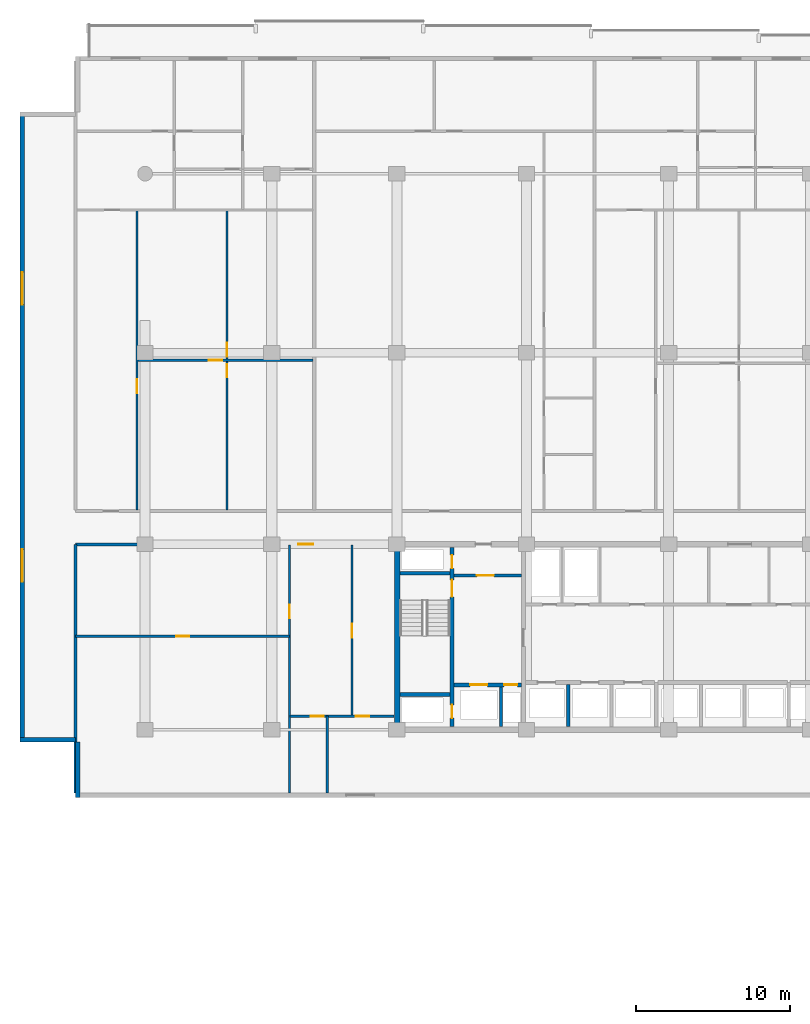
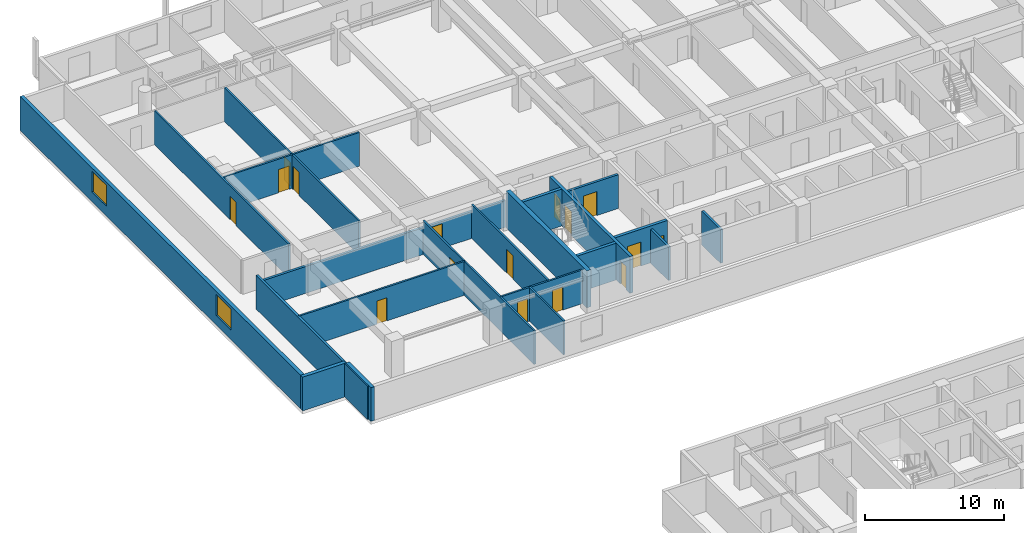
# One storey, part 9 of 23: 21 walls, 16 doors, 2 windows, 18 openings.
"""IFC4 building model written with IfcOpenShell, lengths in metres."""

from ifc_helpers import new_model, si_unit, direction, frame, frame_2d, origin, place, context, subcontext, project, spatial, rectangle, extrude, material, layer, layer_set, type_object, element, fill, save


model = new_model("IFC4")

# Units and contexts
model_context = context("Model", 3, precision=1e-05, world=origin(), true_north=direction((0.0, 1.0)))
body_context = subcontext(model_context, "Body", "Model", "MODEL_VIEW")
ifc_project = project(units=[si_unit("LENGTHUNIT", "METRE"), si_unit("AREAUNIT", "SQUARE_METRE"), si_unit("VOLUMEUNIT", "CUBIC_METRE"), si_unit("PLANEANGLEUNIT", "RADIAN"), si_unit("MASSUNIT", "GRAM", prefix="KILO")], contexts=[model_context])

# Site, building, storey
site_placement = place(None, origin())
site = spatial("IfcSite", under=ifc_project, at=site_placement, CompositionType="ELEMENT")
building_placement = place(site_placement, origin())
building = spatial("IfcBuilding", under=site, at=building_placement, Name="Korimba Cascade Residences", CompositionType="ELEMENT")
storey_placement = place(building_placement, frame((0.0, 0.0, 46.75)))
storey = spatial("IfcBuildingStorey", under=building, at=storey_placement, Name="L12", CompositionType="ELEMENT", Elevation=46.75)

# Wall, openings, windows
ifc_material_1 = material(Name="Precast concrete C40/50", Category="concrete")
ifc_layer_1 = layer(ifc_material_1, 0.300048828125)
ifc_layer_set_1 = layer_set([ifc_layer_1], Name="Precast concrete C40/50")
wall_type_1 = type_object("IfcWallType", Name="EW-STONE-300", PredefinedType="STANDARD", material=ifc_layer_set_1)
wall_1_placement = place(storey_placement, frame((51.85009765625, 95.199951171875, 0.0), z_axis=(0.0, 0.0, 1.0), x_axis=(0.0, -1.0, 0.0)))
wall_1 = element("IfcWall", 1, at=wall_1_placement, inside=storey, type_object=wall_type_1, Name="L12 T1 Perimeter Stone Wall E09", PredefinedType="STANDARD", context=body_context, shape_type="SweptSolid", body=[
    extrude(rectangle(XDim=40.800048828125, YDim=0.300048828125, at=frame_2d((20.39990234375, 0.0))), origin(), (0.0, 0.0, 1.0), 2.969970703125),
])
opening_1_placement = place(wall_1_placement, frame((10.3740234375, 0.0, 0.85009765625)))
opening_1 = element("IfcOpeningElement", 2, at=opening_1_placement, cuts=wall_1, Name="Opening W-03", PredefinedType="OPENING", context=body_context, shape_type="SweptSolid", body=[
    extrude(rectangle(XDim=2.10009765625, YDim=1.85009765625, at=frame_2d((1.050048828125, 0.925048828125))), frame((0.0, 0.16015625, 0.0), z_axis=(0.0, -1.0, 0.0), x_axis=(1.0, 0.0, 0.0)), (0.0, 0.0, 1.0), 0.320068359375),
])
opening_2_placement = place(wall_1_placement, frame((28.325927734375, 0.0, 0.85009765625)))
opening_2 = element("IfcOpeningElement", 3, at=opening_2_placement, cuts=wall_1, Name="Opening W-03", PredefinedType="OPENING", context=body_context, shape_type="SweptSolid", body=[
    extrude(rectangle(XDim=2.10009765625, YDim=1.85009765625, at=frame_2d((1.050048828125, 0.925048828125))), frame((0.0, 0.16015625, 0.0), z_axis=(0.0, -1.0, 0.0), x_axis=(1.0, 0.0, 0.0)), (0.0, 0.0, 1.0), 0.320068359375),
])
ifc_material_2 = material(Name="Double-Glazed Aluminium Window", Category="aluminium")
window_type = type_object("IfcWindowType", Name="WIN-CRN-2100", PartitioningType="DOUBLE_PANEL_HORIZONTAL", PredefinedType="WINDOW", material=ifc_material_2)
window_1_placement = place(opening_1_placement, origin())
window_1 = element("IfcWindow", 4, at=window_1_placement, inside=storey, type_object=window_type, Name="L12 T1 End View Window 9.1", OverallHeight=1.85009765625, OverallWidth=2.10009765625, PartitioningType="DOUBLE_PANEL_HORIZONTAL", PredefinedType="WINDOW", context=body_context, shape_type="SweptSolid", body=[
    extrude(rectangle(XDim=2.10009765625, YDim=1.85009765625, at=frame_2d((1.050048828125, 0.925048828125))), frame((0.0, 0.030029296875, 0.0), z_axis=(0.0, -1.0, 0.0), x_axis=(1.0, 0.0, 0.0)), (0.0, 0.0, 1.0), 0.06005859375),
])
fill(opening_1, window_1)
window_2_placement = place(opening_2_placement, origin())
window_2 = element("IfcWindow", 5, at=window_2_placement, inside=storey, type_object=window_type, Name="L12 T1 End View Window 9.2", OverallHeight=1.85009765625, OverallWidth=2.10009765625, PartitioningType="DOUBLE_PANEL_HORIZONTAL", PredefinedType="WINDOW", context=body_context, shape_type="SweptSolid", body=[
    extrude(rectangle(XDim=2.10009765625, YDim=1.85009765625, at=frame_2d((1.050048828125, 0.925048828125))), frame((0.0, 0.030029296875, 0.0), z_axis=(0.0, -1.0, 0.0), x_axis=(1.0, 0.0, 0.0)), (0.0, 0.0, 1.0), 0.06005859375),
])
fill(opening_2, window_2)

# Walls
wall_2_placement = place(storey_placement, frame((51.699951171875, 54.550048828125, 0.0), z_axis=(0.0, 0.0, 1.0), x_axis=(1.0, 0.0, 0.0)))
element("IfcWall", 6, at=wall_2_placement, inside=storey, type_object=wall_type_1, Name="L12 T1 Perimeter Stone Wall E10", PredefinedType="STANDARD", context=body_context, shape_type="SweptSolid", body=[
    extrude(rectangle(XDim=3.60009765625, YDim=0.300048828125, at=frame_2d((1.800048828125, 0.0))), origin(), (0.0, 0.0, 1.0), 2.969970703125),
])
wall_3_placement = place(storey_placement, frame((55.449951171875, 54.39990234375, 0.0), z_axis=(0.0, 0.0, 1.0), x_axis=(0.0, -1.0, 0.0)))
element("IfcWall", 7, at=wall_3_placement, inside=storey, type_object=wall_type_1, Name="L12 T1 Perimeter Stone Wall E11", PredefinedType="STANDARD", context=body_context, shape_type="SweptSolid", body=[
    extrude(rectangle(XDim=3.599853515625, YDim=0.300048828125, at=frame_2d((1.7998046875, 0.0))), origin(), (0.0, 0.0, 1.0), 2.969970703125),
])
ifc_material_3 = material(Name="Concrete C65/80", Category="concrete")
ifc_layer_2 = layer(ifc_material_3, 0.35009765625)
ifc_layer_set_2 = layer_set([ifc_layer_2], Name="Concrete C65/80")
wall_type_2 = type_object("IfcWallType", Name="WAL-CORE-350", PredefinedType="SHEAR", material=ifc_layer_set_2)
wall_4_placement = place(storey_placement, frame((76.125, 55.375, 0.0), z_axis=(0.0, 0.0, 1.0), x_axis=(0.0, 1.0, 0.0)))
element("IfcWall", 8, at=wall_4_placement, inside=storey, type_object=wall_type_2, Name="L12 Core Shear Wall CW-L12-T1-W", PredefinedType="SHEAR", context=body_context, shape_type="SweptSolid", body=[
    extrude(rectangle(XDim=11.64990234375, YDim=0.35009765625, at=frame_2d((5.824951171875, 0.0))), origin(), (0.0, 0.0, 1.0), 3.25),
])
ifc_layer_3 = layer(ifc_material_1, 0.199951171875)
ifc_layer_set_3 = layer_set([ifc_layer_3], Name="Precast concrete C40/50")
wall_type_3 = type_object("IfcWallType", Name="WAL-IT-200", PredefinedType="PARTITIONING", material=ifc_layer_set_3)
wall_5_placement = place(storey_placement, frame((55.300048828125, 51.10009765625, 0.0), z_axis=(0.0, 0.0, 1.0), x_axis=(0.0, 1.0, 0.0)))
element("IfcWall", 9, at=wall_5_placement, inside=storey, type_object=wall_type_3, Name="L12 Partition Wall WAL-L12-T1-FW-WL", PredefinedType="PARTITIONING", context=body_context, shape_type="SweptSolid", body=[
    extrude(rectangle(XDim=16.099853515625, YDim=0.199951171875, at=frame_2d((8.0498046875, 0.0))), origin(), (0.0, 0.0, 1.0), 2.969970703125),
])

# Wall, opening, door
wall_6_placement = place(storey_placement, frame((55.300048828125, 67.199951171875, 0.0), z_axis=(0.0, 0.0, 1.0), x_axis=(1.0, 0.0, 0.0)))
wall_6 = element("IfcWall", 10, at=wall_6_placement, inside=storey, type_object=wall_type_3, Name="L12 Partition Wall WAL-L12-T1-FW-N", PredefinedType="PARTITIONING", context=body_context, shape_type="SweptSolid", body=[
    extrude(rectangle(XDim=20.64990234375, YDim=0.199951171875, at=frame_2d((10.324951171875, 0.0))), origin(), (0.0, 0.0, 1.0), 2.3701171875),
])
opening_3_placement = place(wall_6_placement, frame((14.426025390625, 0.0, 0.0)))
opening_3 = element("IfcOpeningElement", 11, at=opening_3_placement, cuts=wall_6, Name="Opening D-UN1", PredefinedType="OPENING", context=body_context, shape_type="SweptSolid", body=[
    extrude(rectangle(XDim=0.949951171875, YDim=2.14990234375, at=frame_2d((0.47509765625, 1.074951171875))), frame((0.0, 0.10986328125, 0.0), z_axis=(0.0, -1.0, 0.0), x_axis=(1.0, 0.0, 0.0)), (0.0, 0.0, 1.0), 0.219970703125),
])
ifc_material_4 = material(Name="Fire-Rated Hardwood Apartment Entrance Door", Category="wood")
door_type_1 = type_object("IfcDoorType", Name="DR-FD60-950", OperationType="NOTDEFINED", PredefinedType="DOOR", material=ifc_material_4)
door_1_placement = place(opening_3_placement, origin())
door_1 = element("IfcDoor", 12, at=door_1_placement, inside=storey, type_object=door_type_1, Name="L12-T1-FW Entrance Door", OperationType="SINGLE_SWING_LEFT", OverallHeight=2.14990234375, OverallWidth=0.949951171875, PredefinedType="DOOR", context=body_context, shape_type="SweptSolid", body=[
    extrude(rectangle(XDim=0.949951171875, YDim=2.14990234375, at=frame_2d((0.47509765625, 1.074951171875))), frame((0.0, 0.02490234375, 0.0), z_axis=(0.0, -1.0, 0.0), x_axis=(1.0, 0.0, 0.0)), (0.0, 0.0, 1.0), 0.050048828125),
])
fill(opening_3, door_1)

ifc_material_5 = material(Name="Insulated Acoustic Stud Partition", Category="gypsum")
ifc_layer_4 = layer(ifc_material_5, 0.14990234375)
ifc_layer_set_4 = layer_set([ifc_layer_4], Name="Insulated Acoustic Stud Partition")
wall_type_4 = type_object("IfcWallType", Name="WAL-PART-150", PredefinedType="PARTITIONING", material=ifc_layer_set_4)
wall_7_placement = place(storey_placement, frame((55.300048828125, 61.25, 0.0), z_axis=(0.0, 0.0, 1.0), x_axis=(1.0, 0.0, 0.0)))
wall_7 = element("IfcWall", 13, at=wall_7_placement, inside=storey, type_object=wall_type_4, Name="L12 Partition Wall WAL-L12-T1-FW-STH", PredefinedType="PARTITIONING", context=body_context, shape_type="SweptSolid", body=[
    extrude(rectangle(XDim=13.849853515625, YDim=0.14990234375, at=frame_2d((6.9248046875, 0.0))), origin(), (0.0, 0.0, 1.0), 2.969970703125),
])
opening_4_placement = place(wall_7_placement, frame((6.5048828125, 0.0, 0.0)))
opening_4 = element("IfcOpeningElement", 14, at=opening_4_placement, cuts=wall_7, Name="Opening D-BT1", PredefinedType="OPENING", context=body_context, shape_type="SweptSolid", body=[
    extrude(rectangle(XDim=0.840087890625, YDim=2.0400390625, at=frame_2d((0.419921875, 1.02001953125))), frame((0.0, 0.0849609375, 0.0), z_axis=(0.0, -1.0, 0.0), x_axis=(1.0, 0.0, 0.0)), (0.0, 0.0, 1.0), 0.169921875),
])
ifc_material_6 = material(Name="Moisture-Resistant Bathroom Timber Door", Category="wood")
door_type_2 = type_object("IfcDoorType", Name="DR-INT-850", OperationType="NOTDEFINED", PredefinedType="DOOR", material=ifc_material_6)
door_2_placement = place(opening_4_placement, origin())
door_2 = element("IfcDoor", 15, at=door_2_placement, inside=storey, type_object=door_type_2, Name="L12-T1-FW Dressing Store Door", OperationType="SINGLE_SWING_RIGHT", OverallHeight=2.0400390625, OverallWidth=0.840087890625, PredefinedType="DOOR", context=body_context, shape_type="SweptSolid", body=[
    extrude(rectangle(XDim=0.840087890625, YDim=2.0400390625, at=frame_2d((0.419921875, 1.02001953125))), frame((0.0, 0.02490234375, 0.0), z_axis=(0.0, -1.0, 0.0), x_axis=(1.0, 0.0, 0.0)), (0.0, 0.0, 1.0), 0.050048828125),
])
fill(opening_4, door_2)

wall_8_placement = place(storey_placement, frame((69.14990234375, 51.10009765625, 0.0), z_axis=(0.0, 0.0, 1.0), x_axis=(0.0, 1.0, 0.0)))
wall_8 = element("IfcWall", 16, at=wall_8_placement, inside=storey, type_object=wall_type_4, Name="L12 Partition Wall WAL-L12-T1-FW-STV", PredefinedType="PARTITIONING", context=body_context, shape_type="SweptSolid", body=[
    extrude(rectangle(XDim=16.0498046875, YDim=0.14990234375, at=frame_2d((8.02490234375, 0.0))), origin(), (0.0, 0.0, 1.0), 2.969970703125),
])
opening_5_placement = place(wall_8_placement, frame((11.300048828125, 0.0, 0.0)))
opening_5 = element("IfcOpeningElement", 17, at=opening_5_placement, cuts=wall_8, Name="Opening D-IN2", PredefinedType="OPENING", context=body_context, shape_type="SweptSolid", body=[
    extrude(rectangle(XDim=0.8798828125, YDim=2.06005859375, at=frame_2d((0.43994140625, 1.030029296875))), frame((0.0, 0.0849609375, 0.0), z_axis=(0.0, -1.0, 0.0), x_axis=(1.0, 0.0, 0.0)), (0.0, 0.0, 1.0), 0.169921875),
])
ifc_material_7 = material(Name="Acoustic Timber Bedroom Door", Category="wood")
door_type_3 = type_object("IfcDoorType", Name="DR-INT-880", OperationType="NOTDEFINED", PredefinedType="DOOR", material=ifc_material_7)
door_3_placement = place(opening_5_placement, origin())
door_3 = element("IfcDoor", 18, at=door_3_placement, inside=storey, type_object=door_type_3, Name="L12-T1-FW Study Door", OperationType="SINGLE_SWING_LEFT", OverallHeight=2.06005859375, OverallWidth=0.8798828125, PredefinedType="DOOR", context=body_context, shape_type="SweptSolid", body=[
    extrude(rectangle(XDim=0.8798828125, YDim=2.06005859375, at=frame_2d((0.43994140625, 1.030029296875))), frame((0.0, 0.02490234375, 0.0), z_axis=(0.0, -1.0, 0.0), x_axis=(1.0, 0.0, 0.0)), (0.0, 0.0, 1.0), 0.050048828125),
])
fill(opening_5, door_3)

wall_9_placement = place(storey_placement, frame((73.199951171875, 56.070068359375, 0.0), z_axis=(0.0, 0.0, 1.0), x_axis=(0.0, 1.0, 0.0)))
wall_9 = element("IfcWall", 19, at=wall_9_placement, inside=storey, type_object=wall_type_4, Name="L12 Partition Wall WAL-L12-T1-FW-VN", PredefinedType="PARTITIONING", context=body_context, shape_type="SweptSolid", body=[
    extrude(rectangle(XDim=11.079833984375, YDim=0.14990234375, at=frame_2d((5.5400390625, 0.0))), origin(), (0.0, 0.0, 1.0), 2.969970703125),
])
opening_6_placement = place(wall_9_placement, frame((5.080078125, 0.0, 0.0)))
opening_6 = element("IfcOpeningElement", 20, at=opening_6_placement, cuts=wall_9, Name="Opening D-IN1", PredefinedType="OPENING", context=body_context, shape_type="SweptSolid", body=[
    extrude(rectangle(XDim=0.919921875, YDim=2.080078125, at=frame_2d((0.4599609375, 1.0400390625))), frame((0.0, 0.0849609375, 0.0), z_axis=(0.0, -1.0, 0.0), x_axis=(1.0, 0.0, 0.0)), (0.0, 0.0, 1.0), 0.169921875),
])
ifc_material_8 = material(Name="Acoustic Timber Living Door", Category="wood")
door_type_4 = type_object("IfcDoorType", Name="DR-INT-920", OperationType="NOTDEFINED", PredefinedType="DOOR", material=ifc_material_8)
door_4_placement = place(opening_6_placement, origin())
door_4 = element("IfcDoor", 21, at=door_4_placement, inside=storey, type_object=door_type_4, Name="L12-T1-FW Living Door", OperationType="SINGLE_SWING_RIGHT", OverallHeight=2.080078125, OverallWidth=0.919921875, PredefinedType="DOOR", context=body_context, shape_type="SweptSolid", body=[
    extrude(rectangle(XDim=0.919921875, YDim=2.080078125, at=frame_2d((0.4599609375, 1.0400390625))), frame((0.0, 0.02490234375, 0.0), z_axis=(0.0, -1.0, 0.0), x_axis=(1.0, 0.0, 0.0)), (0.0, 0.0, 1.0), 0.050048828125),
])
fill(opening_6, door_4)

# Wall
wall_10_placement = place(storey_placement, frame((71.60009765625, 51.10009765625, 0.0), z_axis=(0.0, 0.0, 1.0), x_axis=(0.0, 1.0, 0.0)))
element("IfcWall", 22, at=wall_10_placement, inside=storey, type_object=wall_type_4, Name="L12 Partition Wall WAL-L12-T1-FW-VS", PredefinedType="PARTITIONING", context=body_context, shape_type="SweptSolid", body=[
    extrude(rectangle(XDim=4.969970703125, YDim=0.14990234375, at=frame_2d((2.48486328125, 0.0))), origin(), (0.0, 0.0, 1.0), 2.969970703125),
])

# Wall, openings, doors
wall_11_placement = place(storey_placement, frame((69.169921875, 56.070068359375, 0.0), z_axis=(0.0, 0.0, 1.0), x_axis=(1.0, 0.0, 0.0)))
wall_11 = element("IfcWall", 23, at=wall_11_placement, inside=storey, type_object=wall_type_4, Name="L12 Partition Wall WAL-L12-T1-FW-H", PredefinedType="PARTITIONING", context=body_context, shape_type="SweptSolid", body=[
    extrude(rectangle(XDim=6.760009765625, YDim=0.14990234375, at=frame_2d((3.3798828125, 0.0))), origin(), (0.0, 0.0, 1.0), 2.969970703125),
])
opening_7_placement = place(wall_11_placement, frame((1.3623046875, 0.0, 0.0)))
opening_7 = element("IfcOpeningElement", 24, at=opening_7_placement, cuts=wall_11, Name="Opening D-BT1", PredefinedType="OPENING", context=body_context, shape_type="SweptSolid", body=[
    extrude(rectangle(XDim=0.840087890625, YDim=2.0400390625, at=frame_2d((0.419921875, 1.02001953125))), frame((0.0, 0.0849609375, 0.0), z_axis=(0.0, -1.0, 0.0), x_axis=(1.0, 0.0, 0.0)), (0.0, 0.0, 1.0), 0.169921875),
])
opening_8_placement = place(wall_11_placement, frame((4.276611328125, 0.0, 0.0)))
opening_8 = element("IfcOpeningElement", 25, at=opening_8_placement, cuts=wall_11, Name="Opening D-IN2", PredefinedType="OPENING", context=body_context, shape_type="SweptSolid", body=[
    extrude(rectangle(XDim=0.8798828125, YDim=2.06005859375, at=frame_2d((0.43994140625, 1.030029296875))), frame((0.0, 0.0849609375, 0.0), z_axis=(0.0, -1.0, 0.0), x_axis=(1.0, 0.0, 0.0)), (0.0, 0.0, 1.0), 0.169921875),
])
door_5_placement = place(opening_7_placement, origin())
door_5 = element("IfcDoor", 26, at=door_5_placement, inside=storey, type_object=door_type_2, Name="L12-T1-FW Bathroom Door", OperationType="SINGLE_SWING_LEFT", OverallHeight=2.0400390625, OverallWidth=0.840087890625, PredefinedType="DOOR", context=body_context, shape_type="SweptSolid", body=[
    extrude(rectangle(XDim=0.840087890625, YDim=2.0400390625, at=frame_2d((0.419921875, 1.02001953125))), frame((0.0, 0.02490234375, 0.0), z_axis=(0.0, -1.0, 0.0), x_axis=(1.0, 0.0, 0.0)), (0.0, 0.0, 1.0), 0.050048828125),
])
fill(opening_7, door_5)
door_6_placement = place(opening_8_placement, origin())
door_6 = element("IfcDoor", 27, at=door_6_placement, inside=storey, type_object=door_type_3, Name="L12-T1-FW Bedroom Door", OperationType="SINGLE_SWING_RIGHT", OverallHeight=2.06005859375, OverallWidth=0.8798828125, PredefinedType="DOOR", context=body_context, shape_type="SweptSolid", body=[
    extrude(rectangle(XDim=0.8798828125, YDim=2.06005859375, at=frame_2d((0.43994140625, 1.030029296875))), frame((0.0, 0.02490234375, 0.0), z_axis=(0.0, -1.0, 0.0), x_axis=(1.0, 0.0, 0.0)), (0.0, 0.0, 1.0), 0.050048828125),
])
fill(opening_8, door_6)

wall_12_placement = place(storey_placement, frame((65.1025390625, 69.409912109375, 0.0), z_axis=(0.0, 0.0, 1.0), x_axis=(0.0, 1.0, 0.0)))
wall_12 = element("IfcWall", 28, at=wall_12_placement, inside=storey, type_object=wall_type_4, Name="L12 Partition Wall WAL-L12-T1-U01-FMV", PredefinedType="PARTITIONING", context=body_context, shape_type="SweptSolid", body=[
    extrude(rectangle(XDim=19.400146484375, YDim=0.14990234375, at=frame_2d((9.7001953125, 0.0))), origin(), (0.0, 0.0, 1.0), 2.969970703125),
])
opening_9_placement = place(wall_12_placement, frame((8.610107421875, 0.0, 0.0)))
opening_9 = element("IfcOpeningElement", 29, at=opening_9_placement, cuts=wall_12, Name="Opening D-BT1", PredefinedType="OPENING", context=body_context, shape_type="SweptSolid", body=[
    extrude(rectangle(XDim=0.840087890625, YDim=2.0400390625, at=frame_2d((0.419921875, 1.02001953125))), frame((0.0, 0.0849609375, 0.0), z_axis=(0.0, -1.0, 0.0), x_axis=(1.0, 0.0, 0.0)), (0.0, 0.0, 1.0), 0.169921875),
])
opening_10_placement = place(wall_12_placement, frame((9.949951171875, 0.0, 0.0)))
opening_10 = element("IfcOpeningElement", 30, at=opening_10_placement, cuts=wall_12, Name="Opening D-IN2", PredefinedType="OPENING", context=body_context, shape_type="SweptSolid", body=[
    extrude(rectangle(XDim=0.8798828125, YDim=2.06005859375, at=frame_2d((0.43994140625, 1.030029296875))), frame((0.0, 0.0849609375, 0.0), z_axis=(0.0, -1.0, 0.0), x_axis=(1.0, 0.0, 0.0)), (0.0, 0.0, 1.0), 0.169921875),
])
door_7_placement = place(opening_9_placement, origin())
door_7 = element("IfcDoor", 31, at=door_7_placement, inside=storey, type_object=door_type_2, Name="L12-T1-U01 Wardrobe Door", OperationType="SINGLE_SWING_RIGHT", OverallHeight=2.0400390625, OverallWidth=0.840087890625, PredefinedType="DOOR", context=body_context, shape_type="SweptSolid", body=[
    extrude(rectangle(XDim=0.840087890625, YDim=2.0400390625, at=frame_2d((0.419921875, 1.02001953125))), frame((0.0, 0.02490234375, 0.0), z_axis=(0.0, -1.0, 0.0), x_axis=(1.0, 0.0, 0.0)), (0.0, 0.0, 1.0), 0.050048828125),
])
fill(opening_9, door_7)
door_8_placement = place(opening_10_placement, origin())
door_8 = element("IfcDoor", 32, at=door_8_placement, inside=storey, type_object=door_type_3, Name="L12-T1-U01 Music Lounge Door", OperationType="SINGLE_SWING_LEFT", OverallHeight=2.06005859375, OverallWidth=0.8798828125, PredefinedType="DOOR", context=body_context, shape_type="SweptSolid", body=[
    extrude(rectangle(XDim=0.8798828125, YDim=2.06005859375, at=frame_2d((0.43994140625, 1.030029296875))), frame((0.0, 0.02490234375, 0.0), z_axis=(0.0, -1.0, 0.0), x_axis=(1.0, 0.0, 0.0)), (0.0, 0.0, 1.0), 0.050048828125),
])
fill(opening_10, door_8)

# Wall, opening, door
wall_13_placement = place(storey_placement, frame((59.330078125, 79.110107421875, 0.0), z_axis=(0.0, 0.0, 1.0), x_axis=(1.0, 0.0, 0.0)))
wall_13 = element("IfcWall", 33, at=wall_13_placement, inside=storey, type_object=wall_type_4, Name="L12 Partition Wall WAL-L12-T1-U01-FMH", PredefinedType="PARTITIONING", context=body_context, shape_type="SweptSolid", body=[
    extrude(rectangle(XDim=11.34521484375, YDim=0.14990234375, at=frame_2d((5.672607421875, 0.0))), origin(), (0.0, 0.0, 1.0), 2.969970703125),
])
opening_11_placement = place(wall_13_placement, frame((4.586181640625, 0.0, 0.0)))
opening_11 = element("IfcOpeningElement", 34, at=opening_11_placement, cuts=wall_13, Name="Opening D-IN2", PredefinedType="OPENING", context=body_context, shape_type="SweptSolid", body=[
    extrude(rectangle(XDim=0.8798828125, YDim=2.06005859375, at=frame_2d((0.43994140625, 1.030029296875))), frame((0.0, 0.0849609375, 0.0), z_axis=(0.0, -1.0, 0.0), x_axis=(1.0, 0.0, 0.0)), (0.0, 0.0, 1.0), 0.169921875),
])
door_9_placement = place(opening_11_placement, origin())
door_9 = element("IfcDoor", 35, at=door_9_placement, inside=storey, type_object=door_type_3, Name="L12-T1-U01 Library Salon Door", OperationType="SINGLE_SWING_RIGHT", OverallHeight=2.06005859375, OverallWidth=0.8798828125, PredefinedType="DOOR", context=body_context, shape_type="SweptSolid", body=[
    extrude(rectangle(XDim=0.8798828125, YDim=2.06005859375, at=frame_2d((0.43994140625, 1.030029296875))), frame((0.0, 0.02490234375, 0.0), z_axis=(0.0, -1.0, 0.0), x_axis=(1.0, 0.0, 0.0)), (0.0, 0.0, 1.0), 0.050048828125),
])
fill(opening_11, door_9)

wall_14_placement = place(storey_placement, frame((59.27001953125, 69.409912109375, 0.0), z_axis=(0.0, 0.0, 1.0), x_axis=(0.0, 1.0, 0.0)))
wall_14 = element("IfcWall", 36, at=wall_14_placement, inside=storey, type_object=wall_type_4, Name="L12 Partition Wall WAL-L12-T1-U01-FV", PredefinedType="PARTITIONING", context=body_context, shape_type="SweptSolid", body=[
    extrude(rectangle(XDim=19.400146484375, YDim=0.14990234375, at=frame_2d((9.7001953125, 0.0))), origin(), (0.0, 0.0, 1.0), 2.969970703125),
])
opening_12_placement = place(wall_14_placement, frame((7.58349609375, 0.0, 0.0)))
opening_12 = element("IfcOpeningElement", 37, at=opening_12_placement, cuts=wall_14, Name="Opening D-IN2", PredefinedType="OPENING", context=body_context, shape_type="SweptSolid", body=[
    extrude(rectangle(XDim=0.8798828125, YDim=2.06005859375, at=frame_2d((0.43994140625, 1.030029296875))), frame((0.0, 0.0849609375, 0.0), z_axis=(0.0, -1.0, 0.0), x_axis=(1.0, 0.0, 0.0)), (0.0, 0.0, 1.0), 0.169921875),
])
door_10_placement = place(opening_12_placement, origin())
door_10 = element("IfcDoor", 38, at=door_10_placement, inside=storey, type_object=door_type_3, Name="L12-T1-U01 Media Lounge Door", OperationType="SINGLE_SWING_LEFT", OverallHeight=2.06005859375, OverallWidth=0.8798828125, PredefinedType="DOOR", context=body_context, shape_type="SweptSolid", body=[
    extrude(rectangle(XDim=0.8798828125, YDim=2.06005859375, at=frame_2d((0.43994140625, 1.030029296875))), frame((0.0, 0.02490234375, 0.0), z_axis=(0.0, -1.0, 0.0), x_axis=(1.0, 0.0, 0.0)), (0.0, 0.0, 1.0), 0.050048828125),
])
fill(opening_12, door_10)

# Wall
ifc_material_9 = material(Name="Concrete C40/50", Category="concrete")
ifc_layer_5 = layer(ifc_material_9, 0.199951171875)
ifc_layer_set_5 = layer_set([ifc_layer_5], Name="Concrete C40/50")
wall_type_5 = type_object("IfcWallType", Name="WAL-PART-200", PredefinedType="PARTITIONING", material=ifc_layer_set_5)
wall_15_placement = place(storey_placement, frame((82.85009765625, 55.39990234375, 0.0), z_axis=(0.0, 0.0, 1.0), x_axis=(0.0, 1.0, 0.0)))
element("IfcWall", 39, at=wall_15_placement, inside=storey, type_object=wall_type_5, Name="L12 Partition Wall CW-L12-T1-FFLDIV", PredefinedType="PARTITIONING", context=body_context, shape_type="SweptSolid", body=[
    extrude(rectangle(XDim=2.56005859375, YDim=0.199951171875, at=frame_2d((1.280029296875, 0.0))), origin(), (0.0, 0.0, 1.0), 2.969970703125),
])

# Wall, opening, door
wall_16_placement = place(storey_placement, frame((79.7900390625, 65.179931640625, 0.0), z_axis=(0.0, 0.0, 1.0), x_axis=(1.0, 0.0, 0.0)))
wall_16 = element("IfcWall", 40, at=wall_16_placement, inside=storey, type_object=wall_type_5, Name="L12 Partition Wall CW-L12-T1-FFLN", PredefinedType="PARTITIONING", context=body_context, shape_type="SweptSolid", body=[
    extrude(rectangle(XDim=4.389892578125, YDim=0.199951171875, at=frame_2d((2.19482421875, 0.0))), origin(), (0.0, 0.0, 1.0), 2.969970703125),
])
opening_13_placement = place(wall_16_placement, frame((1.5, 0.0, 0.0)))
opening_13 = element("IfcOpeningElement", 41, at=opening_13_placement, cuts=wall_16, Name="Opening D-FD1", PredefinedType="OPENING", context=body_context, shape_type="SweptSolid", body=[
    extrude(rectangle(XDim=1.10009765625, YDim=2.10009765625, at=frame_2d((0.550048828125, 1.050048828125))), frame((0.0, 0.10986328125, 0.0), z_axis=(0.0, -1.0, 0.0), x_axis=(1.0, 0.0, 0.0)), (0.0, 0.0, 1.0), 0.219970703125),
])
ifc_material_10 = material(Name="Fire-Rated Steel Core Door", Category="steel")
door_type_5 = type_object("IfcDoorType", Name="DR-FD120-1100", OperationType="NOTDEFINED", PredefinedType="DOOR", material=ifc_material_10)
door_11_placement = place(opening_13_placement, origin())
door_11 = element("IfcDoor", 42, at=door_11_placement, inside=storey, type_object=door_type_5, Name="L12 West Firefighting Lobby Door", OperationType="SINGLE_SWING_RIGHT", OverallHeight=2.10009765625, OverallWidth=1.10009765625, PredefinedType="DOOR", context=body_context, shape_type="SweptSolid", body=[
    extrude(rectangle(XDim=1.10009765625, YDim=2.10009765625, at=frame_2d((0.550048828125, 1.050048828125))), frame((0.0, 0.02490234375, 0.0), z_axis=(0.0, -1.0, 0.0), x_axis=(1.0, 0.0, 0.0)), (0.0, 0.0, 1.0), 0.050048828125),
])
fill(opening_13, door_11)

# Wall
wall_17_placement = place(storey_placement, frame((87.199951171875, 55.39990234375, 0.0), z_axis=(0.0, 0.0, 1.0), x_axis=(0.0, 1.0, 0.0)))
element("IfcWall", 43, at=wall_17_placement, inside=storey, type_object=wall_type_5, Name="L12 Partition Wall CW-L12-T1-B1D1", PredefinedType="PARTITIONING", context=body_context, shape_type="SweptSolid", body=[
    extrude(rectangle(XDim=2.72021484375, YDim=0.199951171875, at=frame_2d((1.360107421875, 0.0))), origin(), (0.0, 0.0, 1.0), 2.969970703125),
])

# Wall, openings, doors
ifc_material_11 = material(Name="Concrete C50/60", Category="concrete")
ifc_layer_6 = layer(ifc_material_11, 0.25)
ifc_layer_set_6 = layer_set([ifc_layer_6], Name="Concrete C50/60")
wall_type_6 = type_object("IfcWallType", Name="WAL-SHAFT-250", PredefinedType="SHEAR", material=ifc_layer_set_6)
wall_18_placement = place(storey_placement, frame((79.6650390625, 55.39990234375, 0.0), z_axis=(0.0, 0.0, 1.0), x_axis=(0.0, 1.0, 0.0)))
wall_18 = element("IfcWall", 44, at=wall_18_placement, inside=storey, type_object=wall_type_6, Name="L12 Core Shear Wall CW-L12-T1-STW1E", PredefinedType="SHEAR", context=body_context, shape_type="SweptSolid", body=[
    extrude(rectangle(XDim=11.60009765625, YDim=0.25, at=frame_2d((5.800048828125, 0.0))), origin(), (0.0, 0.0, 1.0), 3.25),
])
opening_14_placement = place(wall_18_placement, frame((0.550048828125, 0.0, 0.0)))
opening_14 = element("IfcOpeningElement", 45, at=opening_14_placement, cuts=wall_18, Name="Opening D-RS1", PredefinedType="OPENING", context=body_context, shape_type="SweptSolid", body=[
    extrude(rectangle(XDim=0.85009765625, YDim=2.050048828125, at=frame_2d((0.425048828125, 1.02490234375))), frame((0.0, 0.135009765625, 0.0), z_axis=(0.0, -1.0, 0.0), x_axis=(1.0, 0.0, 0.0)), (0.0, 0.0, 1.0), 0.27001953125),
])
opening_15_placement = place(wall_18_placement, frame((8.39990234375, 0.0, 0.0)))
opening_15 = element("IfcOpeningElement", 46, at=opening_15_placement, cuts=wall_18, Name="Opening D-FD1", PredefinedType="OPENING", context=body_context, shape_type="SweptSolid", body=[
    extrude(rectangle(XDim=1.10009765625, YDim=2.10009765625, at=frame_2d((0.550048828125, 1.050048828125))), frame((0.0, 0.135009765625, 0.0), z_axis=(0.0, -1.0, 0.0), x_axis=(1.0, 0.0, 0.0)), (0.0, 0.0, 1.0), 0.27001953125),
])
opening_16_placement = place(wall_18_placement, frame((10.25, 0.0, 0.0)))
opening_16 = element("IfcOpeningElement", 47, at=opening_16_placement, cuts=wall_18, Name="Opening D-RS1", PredefinedType="OPENING", context=body_context, shape_type="SweptSolid", body=[
    extrude(rectangle(XDim=0.85009765625, YDim=2.050048828125, at=frame_2d((0.425048828125, 1.02490234375))), frame((0.0, 0.135009765625, 0.0), z_axis=(0.0, -1.0, 0.0), x_axis=(1.0, 0.0, 0.0)), (0.0, 0.0, 1.0), 0.27001953125),
])
door_12_placement = place(opening_15_placement, origin())
door_12 = element("IfcDoor", 48, at=door_12_placement, inside=storey, type_object=door_type_5, Name="L12 Fire Stair ST-W1 Door", OperationType="SINGLE_SWING_LEFT", OverallHeight=2.10009765625, OverallWidth=1.10009765625, PredefinedType="DOOR", context=body_context, shape_type="SweptSolid", body=[
    extrude(rectangle(XDim=1.10009765625, YDim=2.10009765625, at=frame_2d((0.550048828125, 1.050048828125))), frame((0.0, 0.02490234375, 0.0), z_axis=(0.0, -1.0, 0.0), x_axis=(1.0, 0.0, 0.0)), (0.0, 0.0, 1.0), 0.050048828125),
])
fill(opening_15, door_12)
ifc_material_12 = material(Name="Fire-Rated Steel Riser Access Door", Category="steel")
door_type_6 = type_object("IfcDoorType", Name="DR-FD60-850", OperationType="NOTDEFINED", PredefinedType="DOOR", material=ifc_material_12)
door_13_placement = place(opening_14_placement, origin())
door_13 = element("IfcDoor", 49, at=door_13_placement, inside=storey, type_object=door_type_6, Name="L12 Smoke Riser Access Door", OperationType="SINGLE_SWING_RIGHT", OverallHeight=2.050048828125, OverallWidth=0.85009765625, PredefinedType="DOOR", context=body_context, shape_type="SweptSolid", body=[
    extrude(rectangle(XDim=0.85009765625, YDim=2.050048828125, at=frame_2d((0.425048828125, 1.02490234375))), frame((0.0, 0.02490234375, 0.0), z_axis=(0.0, -1.0, 0.0), x_axis=(1.0, 0.0, 0.0)), (0.0, 0.0, 1.0), 0.050048828125),
])
fill(opening_14, door_13)
door_14_placement = place(opening_16_placement, origin())
door_14 = element("IfcDoor", 50, at=door_14_placement, inside=storey, type_object=door_type_6, Name="L12 Hydrant Riser Access Door", OperationType="SINGLE_SWING_RIGHT", OverallHeight=2.050048828125, OverallWidth=0.85009765625, PredefinedType="DOOR", context=body_context, shape_type="SweptSolid", body=[
    extrude(rectangle(XDim=0.85009765625, YDim=2.050048828125, at=frame_2d((0.425048828125, 1.02490234375))), frame((0.0, 0.02490234375, 0.0), z_axis=(0.0, -1.0, 0.0), x_axis=(1.0, 0.0, 0.0)), (0.0, 0.0, 1.0), 0.050048828125),
])
fill(opening_16, door_14)

# Walls
for number, where, z_axis, x_axis, name in (
    (51, (76.300048828125, 57.47509765625, 0.0), (0.0, 0.0, 1.0), (1.0, 0.0, 0.0), "L12 Core Shear Wall CW-L12-T1-STW1S"),
    (52, (76.300048828125, 65.324951171875, 0.0), (0.0, 0.0, 1.0), (1.0, 0.0, 0.0), "L12 Core Shear Wall CW-L12-T1-STW1N"),
):
    element("IfcWall", number, at=place(storey_placement, frame(where, z_axis=z_axis, x_axis=x_axis)), inside=storey, type_object=wall_type_6, Name=name, PredefinedType="SHEAR", context=body_context, shape_type="SweptSolid", body=[
        extrude(rectangle(XDim=3.239990234375, YDim=0.25, at=frame_2d((1.6201171875, 0.0))), origin(), (0.0, 0.0, 1.0), 3.25),
    ])

# Wall, openings, doors
wall_19_placement = place(storey_placement, frame((79.7900390625, 58.10009765625, 0.0), z_axis=(0.0, 0.0, 1.0), x_axis=(1.0, 0.0, 0.0)))
wall_19 = element("IfcWall", 53, at=wall_19_placement, inside=storey, type_object=wall_type_6, Name="L12 Core Shear Wall CW-L12-T1-FFLS", PredefinedType="SHEAR", context=body_context, shape_type="SweptSolid", body=[
    extrude(rectangle(XDim=4.389892578125, YDim=0.25, at=frame_2d((2.19482421875, 0.0))), origin(), (0.0, 0.0, 1.0), 3.25),
])
opening_17_placement = place(wall_19_placement, frame((1.050048828125, 0.0, 0.0)))
opening_17 = element("IfcOpeningElement", 54, at=opening_17_placement, cuts=wall_19, Name="Opening LD-01", PredefinedType="OPENING", context=body_context, shape_type="SweptSolid", body=[
    extrude(rectangle(XDim=1.1201171875, YDim=2.1201171875, at=frame_2d((0.56005859375, 1.06005859375))), frame((0.0, 0.135009765625, 0.0), z_axis=(0.0, -1.0, 0.0), x_axis=(1.0, 0.0, 0.0)), (0.0, 0.0, 1.0), 0.27001953125),
])
opening_18_placement = place(wall_19_placement, frame((3.260009765625, 0.0, 0.0)))
opening_18 = element("IfcOpeningElement", 55, at=opening_18_placement, cuts=wall_19, Name="Opening D-RS1", PredefinedType="OPENING", context=body_context, shape_type="SweptSolid", body=[
    extrude(rectangle(XDim=0.85009765625, YDim=2.050048828125, at=frame_2d((0.425048828125, 1.02490234375))), frame((0.0, 0.135009765625, 0.0), z_axis=(0.0, -1.0, 0.0), x_axis=(1.0, 0.0, 0.0)), (0.0, 0.0, 1.0), 0.27001953125),
])
door_15_placement = place(opening_18_placement, origin())
door_15 = element("IfcDoor", 56, at=door_15_placement, inside=storey, type_object=door_type_6, Name="L12 Pressurisation Riser Door", OperationType="SINGLE_SWING_LEFT", OverallHeight=2.050048828125, OverallWidth=0.85009765625, PredefinedType="DOOR", context=body_context, shape_type="SweptSolid", body=[
    extrude(rectangle(XDim=0.85009765625, YDim=2.050048828125, at=frame_2d((0.425048828125, 1.02490234375))), frame((0.0, 0.02490234375, 0.0), z_axis=(0.0, -1.0, 0.0), x_axis=(1.0, 0.0, 0.0)), (0.0, 0.0, 1.0), 0.050048828125),
])
fill(opening_18, door_15)
ifc_material_13 = material(Name="Stainless Steel Lift Landing Sliding Door", Category="steel")
door_type_7 = type_object("IfcDoorType", Name="DR-LIFT-1100", OperationType="NOTDEFINED", PredefinedType="DOOR", material=ifc_material_13)
door_16_placement = place(opening_17_placement, origin())
door_16 = element("IfcDoor", 57, at=door_16_placement, inside=storey, type_object=door_type_7, Name="L12 Firefighting Lift Landing Door FFL-W1", OperationType="SLIDING_TO_LEFT", OverallHeight=2.1201171875, OverallWidth=1.1201171875, PredefinedType="DOOR", context=body_context, shape_type="SweptSolid", body=[
    extrude(rectangle(XDim=1.1201171875, YDim=2.1201171875, at=frame_2d((0.56005859375, 1.06005859375))), frame((0.0, 0.02490234375, 0.0), z_axis=(0.0, -1.0, 0.0), x_axis=(1.0, 0.0, 0.0)), (0.0, 0.0, 1.0), 0.050048828125),
])
fill(opening_17, door_16)

save(model, "model.ifc")
